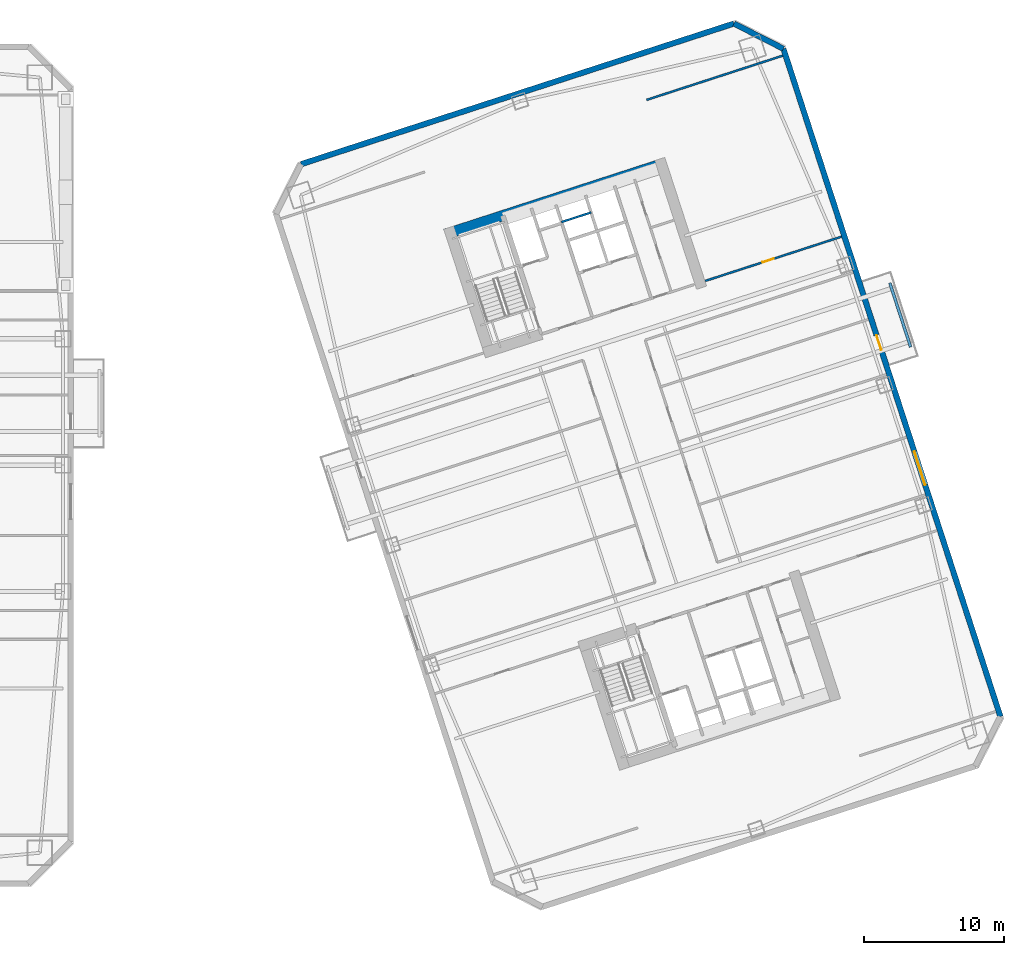
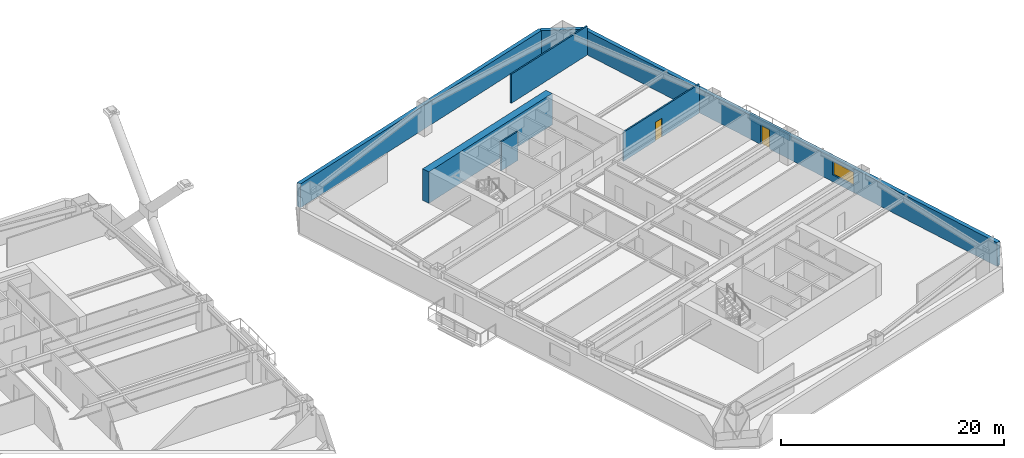
# One storey, part 9 of 15: 8 walls, 2 doors, 1 window, 3 openings.
"""IFC4 building model written with IfcOpenShell, lengths in metres."""

from ifc_helpers import new_model, si_unit, direction, frame, frame_2d, origin, place, context, subcontext, project, spatial, rectangle, extrude, material, layer, layer_set, type_object, element, fill, save


model = new_model("IFC4")

# Units and contexts
model_context = context("Model", 3, precision=1e-05, world=origin(), true_north=direction((0.0, 1.0)))
body_context = subcontext(model_context, "Body", "Model", "MODEL_VIEW")
ifc_project = project(units=[si_unit("LENGTHUNIT", "METRE"), si_unit("AREAUNIT", "SQUARE_METRE"), si_unit("VOLUMEUNIT", "CUBIC_METRE"), si_unit("PLANEANGLEUNIT", "RADIAN"), si_unit("MASSUNIT", "GRAM", prefix="KILO")], contexts=[model_context])

# Site, building, storey
site_placement = place(None, origin())
site = spatial("IfcSite", under=ifc_project, at=site_placement, CompositionType="ELEMENT")
building_placement = place(site_placement, origin())
building = spatial("IfcBuilding", under=site, at=building_placement, Name="Qiaolan Cultural Towers", CompositionType="ELEMENT")
storey_placement = place(building_placement, frame((0.0, 0.0, 71.300048828125)))
storey = spatial("IfcBuildingStorey", under=building, at=storey_placement, Name="L17", CompositionType="ELEMENT", Elevation=71.300048828125)

# Walls
ifc_material_1 = material(Name="Concrete C60", Category="concrete")
ifc_layer_1 = layer(ifc_material_1, 0.75)
ifc_layer_set_1 = layer_set([ifc_layer_1], Name="Concrete C60")
wall_type_1 = type_object("IfcWallType", Name="WL-CORE-750", PredefinedType="SHEAR", material=ifc_layer_set_1)
wall_1_placement = place(storey_placement, frame((76.27197265625, 50.442626953125, 0.0), z_axis=(0.0, 0.0, 1.0), x_axis=(0.951056072937, 0.309018358888, 0.0)))
element("IfcWall", 1, at=wall_1_placement, inside=storey, type_object=wall_type_1, Name="L17 T2-CN Outer Core Shear Wall", PredefinedType="SHEAR", context=body_context, shape_type="SweptSolid", body=[
    extrude(rectangle(XDim=16.550048828125, YDim=0.75, at=frame_2d((8.27490234375, 0.0))), origin(), (0.0, 0.0, 1.0), 3.449951171875),
])
ifc_material_2 = material(Name="Precast Concrete C50 Honed Stone Pier", Category="masonry")
ifc_layer_2 = layer(ifc_material_2, 0.39990234375)
ifc_layer_set_2 = layer_set([ifc_layer_2], Name="Precast Concrete C50 Honed Stone Pier")
wall_type_2 = type_object("IfcWallType", Name="WL-EXT-PIER-400", PredefinedType="SOLIDWALL", material=ifc_layer_set_2)
wall_2_placement = place(storey_placement, frame((66.002197265625, 55.433349609375, 0.0), z_axis=(0.0, 0.0, 1.0), x_axis=(0.951055939317, 0.309018770125, 0.0)))
element("IfcWall", 2, at=wall_2_placement, inside=storey, type_object=wall_type_2, Name="L17 East Tower Precast Pier Facade Wall F3", PredefinedType="SOLIDWALL", context=body_context, shape_type="SweptSolid", body=[
    extrude(rectangle(XDim=32.39990234375, YDim=0.39990234375, at=frame_2d((16.199951171875, 0.0))), origin(), (0.0, 0.0, 1.0), 2.60986328125),
])
wall_3_placement = place(storey_placement, frame((96.81640625, 65.445556640625, 0.0), z_axis=(0.0, 0.0, 1.0), x_axis=(0.890998089617, -0.454007053137, 0.0)))
element("IfcWall", 3, at=wall_3_placement, inside=storey, type_object=wall_type_2, Name="L17 East Tower Precast Pier Facade Wall F4", PredefinedType="SOLIDWALL", context=body_context, shape_type="SweptSolid", body=[
    extrude(rectangle(XDim=3.9599609375, YDim=0.39990234375, at=frame_2d((1.97998046875, 0.0))), origin(), (0.0, 0.0, 1.0), 2.60986328125),
])

# Wall, openings, door, window
wall_4_placement = place(storey_placement, frame((100.3447265625, 63.647705078125, 0.0), z_axis=(0.0, 0.0, 1.0), x_axis=(0.309014526607, -0.951057318118, 0.0)))
wall_4 = element("IfcWall", 4, at=wall_4_placement, inside=storey, type_object=wall_type_2, Name="L17 East Tower Precast Pier Facade Wall F5", PredefinedType="SOLIDWALL", context=body_context, shape_type="SweptSolid", body=[
    extrude(rectangle(XDim=49.999755859375, YDim=0.39990234375, at=frame_2d((25.0, 0.0))), origin(), (0.0, 0.0, 1.0), 2.60986328125),
])
opening_1_placement = place(wall_4_placement, frame((30.14990234375, 0.0, 0.75)))
opening_1 = element("IfcOpeningElement", 5, at=opening_1_placement, cuts=wall_4, Name="Opening W-01", PredefinedType="OPENING", context=body_context, shape_type="SweptSolid", body=[
    extrude(rectangle(XDim=2.5, YDim=1.4599609375, at=frame_2d((1.25, 0.72998046875))), frame((0.0, 0.2099609375, 0.0), z_axis=(0.0, -1.0, 0.0), x_axis=(1.0, 0.0, 0.0)), (0.0, 0.0, 1.0), 0.419921875),
])
opening_2_placement = place(wall_4_placement, frame((21.4453125, 0.0, 0.0)))
opening_2 = element("IfcOpeningElement", 6, at=opening_2_placement, cuts=wall_4, Name="Opening BD-01", PredefinedType="OPENING", context=body_context, shape_type="SweptSolid", body=[
    extrude(rectangle(XDim=1.10009765625, YDim=2.14990234375, at=frame_2d((0.550048828125, 1.074951171875))), frame((0.0, 0.2099609375, 0.0), z_axis=(0.0, -1.0, 0.0), x_axis=(1.0, 0.0, 0.0)), (0.0, 0.0, 1.0), 0.419921875),
])
ifc_material_3 = material(Name="Thermally Broken Aluminium Glazed Terrace Door", Category="aluminium")
door_type_1 = type_object("IfcDoorType", Name="DR-BAL-1100", OperationType="NOTDEFINED", PredefinedType="DOOR", material=ifc_material_3)
door_1_placement = place(opening_2_placement, origin())
door_1 = element("IfcDoor", 7, at=door_1_placement, inside=storey, type_object=door_type_1, Name="L17 T2 East Tree Balcony Door", OperationType="SINGLE_SWING_RIGHT", OverallHeight=2.14990234375, OverallWidth=1.10009765625, PredefinedType="DOOR", context=body_context, shape_type="SweptSolid", body=[
    extrude(rectangle(XDim=1.10009765625, YDim=2.14990234375, at=frame_2d((0.550048828125, 1.074951171875))), frame((0.0, 0.02490234375, 0.0), z_axis=(0.0, -1.0, 0.0), x_axis=(1.0, 0.0, 0.0)), (0.0, 0.0, 1.0), 0.050048828125),
])
fill(opening_2, door_1)
ifc_material_4 = material(Name="Thermally Broken Aluminium Triple Low-E Glazing", Category="aluminium")
window_type = type_object("IfcWindowType", Name="WN-CHIC-2500", PartitioningType="SINGLE_PANEL", PredefinedType="WINDOW", material=ifc_material_4)
window_placement = place(opening_1_placement, origin())
window = element("IfcWindow", 8, at=window_placement, inside=storey, type_object=window_type, Name="L17 T2 E Chicago Bay Window 1", OverallHeight=1.4599609375, OverallWidth=2.5, PartitioningType="TRIPLE_PANEL_VERTICAL", PredefinedType="WINDOW", context=body_context, shape_type="SweptSolid", body=[
    extrude(rectangle(XDim=2.5, YDim=1.4599609375, at=frame_2d((1.25, 0.72998046875))), frame((0.0, 0.030029296875, 0.0), z_axis=(0.0, -1.0, 0.0), x_axis=(1.0, 0.0, 0.0)), (0.0, 0.0, 1.0), 0.06005859375),
])
fill(opening_1, window)

# Walls
ifc_material_5 = material(Name="Autoclaved Aerated Concrete Block B06", Category="concrete")
ifc_layer_3 = layer(ifc_material_5, 0.14990234375)
ifc_layer_set_3 = layer_set([ifc_layer_3], Name="Autoclaved Aerated Concrete Block B06")
wall_type_3 = type_object("IfcWallType", Name="WL-PART-150", PredefinedType="PARTITIONING", material=ifc_layer_set_3)
wall_5_placement = place(storey_placement, frame((84.533935546875, 51.30810546875, 0.0), z_axis=(0.0, 0.0, 1.0), x_axis=(0.951075093106, 0.308959814982, 0.0)))
element("IfcWall", 9, at=wall_5_placement, inside=storey, type_object=wall_type_3, Name="L17 T2-CN Core Rear Riser Split", PredefinedType="PARTITIONING", context=body_context, shape_type="SweptSolid", body=[
    extrude(rectangle(XDim=2.22998046875, YDim=0.14990234375, at=frame_2d((1.114990234375, 0.0))), origin(), (0.0, 0.0, 1.0), 3.175048828125),
])
wall_6_placement = place(storey_placement, frame((90.5927734375, 60.006103515625, 0.0), z_axis=(0.0, 0.0, 1.0), x_axis=(0.951059043131, 0.309009217467, 0.0)))
element("IfcWall", 10, at=wall_6_placement, inside=storey, type_object=wall_type_3, Name="L17 T2 Flank Wall FLK-NE", PredefinedType="PARTITIONING", context=body_context, shape_type="SweptSolid", body=[
    extrude(rectangle(XDim=10.199951171875, YDim=0.14990234375, at=frame_2d((5.10009765625, 0.0))), origin(), (0.0, 0.0, 1.0), 3.175048828125),
])

# Wall, opening, door
wall_7_placement = place(storey_placement, frame((94.77978515625, 47.119140625, 0.0), z_axis=(0.0, 0.0, 1.0), x_axis=(0.951054294345, 0.309023832749, 0.0)))
wall_7 = element("IfcWall", 11, at=wall_7_placement, inside=storey, type_object=wall_type_3, Name="L17 T2 Flank Front FLK-NE", PredefinedType="PARTITIONING", context=body_context, shape_type="SweptSolid", body=[
    extrude(rectangle(XDim=10.2001953125, YDim=0.14990234375, at=frame_2d((5.10009765625, 0.0))), origin(), (0.0, 0.0, 1.0), 3.175048828125),
])
opening_3_placement = place(wall_7_placement, frame((4.283935546875, 0.0, 0.0)))
opening_3 = element("IfcOpeningElement", 12, at=opening_3_placement, cuts=wall_7, Name="Opening ID-09", PredefinedType="OPENING", context=body_context, shape_type="SweptSolid", body=[
    extrude(rectangle(XDim=0.85009765625, YDim=2.050048828125, at=frame_2d((0.425048828125, 1.02490234375))), frame((0.0, 0.0849609375, 0.0), z_axis=(0.0, -1.0, 0.0), x_axis=(1.0, 0.0, 0.0)), (0.0, 0.0, 1.0), 0.169921875),
])
ifc_material_6 = material(Name="Moisture-Resistant Laminate Utility Door", Category="timber")
door_type_2 = type_object("IfcDoorType", Name="DR-INT-850", OperationType="NOTDEFINED", PredefinedType="DOOR", material=ifc_material_6)
door_2_placement = place(opening_3_placement, origin())
door_2 = element("IfcDoor", 13, at=door_2_placement, inside=storey, type_object=door_type_2, Name="L17 T2 Corner Studio Door", OperationType="SINGLE_SWING_LEFT", OverallHeight=2.050048828125, OverallWidth=0.85009765625, PredefinedType="DOOR", context=body_context, shape_type="SweptSolid", body=[
    extrude(rectangle(XDim=0.85009765625, YDim=2.050048828125, at=frame_2d((0.425048828125, 1.02490234375))), frame((0.0, 0.02490234375, 0.0), z_axis=(0.0, -1.0, 0.0), x_axis=(1.0, 0.0, 0.0)), (0.0, 0.0, 1.0), 0.050048828125),
])
fill(opening_3, door_2)

# Wall
ifc_material_7 = material(Name="Precast Concrete C45 Tree Planter Upstand", Category="concrete")
ifc_layer_4 = layer(ifc_material_7, 0.199951171875)
ifc_layer_set_4 = layer_set([ifc_layer_4], Name="Precast Concrete C45 Tree Planter Upstand")
wall_type_4 = type_object("IfcWallType", Name="WL-PLANTER-200", PredefinedType="PARAPET", material=ifc_layer_set_4)
wall_8_placement = place(storey_placement, frame((109.401611328125, 42.406982421875, 0.0), z_axis=(0.0, 0.0, 1.0), x_axis=(-0.30900096172, 0.951061725471, 0.0)))
element("IfcWall", 14, at=wall_8_placement, inside=storey, type_object=wall_type_4, Name="L17 T2 Tree Balcony Soil Planter Box E", PredefinedType="PARAPET", context=body_context, shape_type="SweptSolid", body=[
    extrude(rectangle(XDim=4.7998046875, YDim=0.199951171875, at=frame_2d((2.39990234375, 0.0))), origin(), (0.0, 0.0, 1.0), 0.75),
])

save(model, "model.ifc")
